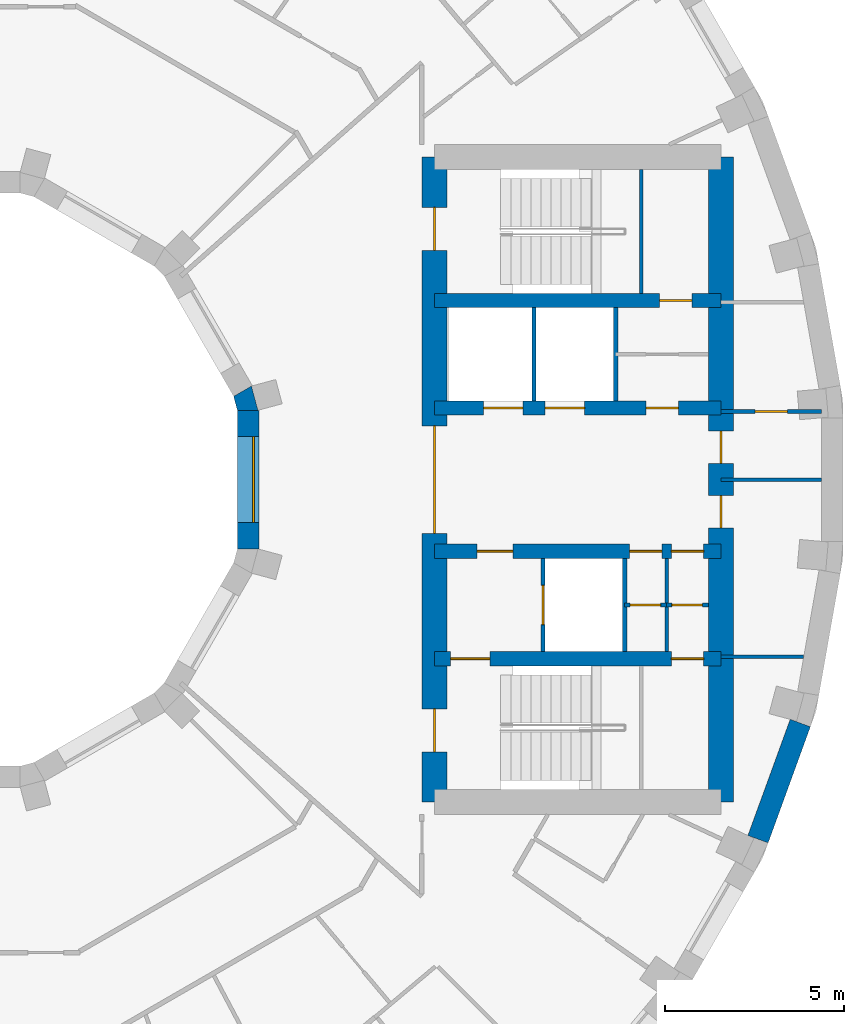
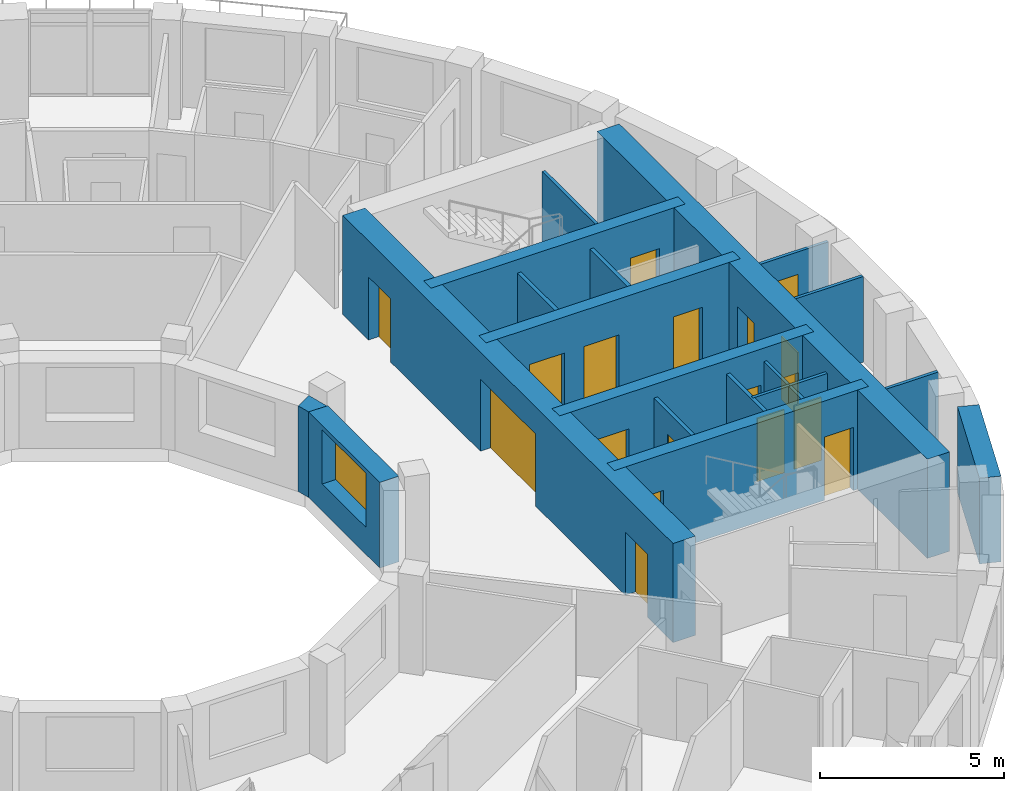
# One storey, part 8 of 13: 20 walls, 18 doors, 1 window, 19 openings.
"""IFC4 building model written with IfcOpenShell, lengths in metres."""

from ifc_helpers import new_model, si_unit, direction, frame, frame_2d, origin, place, context, subcontext, project, spatial, polyline, rectangle, outline, extrude, material, layer, layer_set, type_object, element, fill, save


model = new_model("IFC4")

# Units and contexts
model_context = context("Model", 3, precision=1e-05, world=origin(), true_north=direction((0.0, 1.0)))
body_context = subcontext(model_context, "Body", "Model", "MODEL_VIEW")
ifc_project = project(units=[si_unit("LENGTHUNIT", "METRE"), si_unit("AREAUNIT", "SQUARE_METRE"), si_unit("VOLUMEUNIT", "CUBIC_METRE"), si_unit("PLANEANGLEUNIT", "RADIAN"), si_unit("MASSUNIT", "GRAM", prefix="KILO")], contexts=[model_context])

# Site, building, storey
site_placement = place(None, origin())
site = spatial("IfcSite", under=ifc_project, at=site_placement, CompositionType="ELEMENT")
building_placement = place(site_placement, origin())
building = spatial("IfcBuilding", under=site, at=building_placement, Name="Saqina Gate Tower", CompositionType="ELEMENT")
storey_placement = place(building_placement, frame((0.0, 0.0, 207.0)))
storey = spatial("IfcBuildingStorey", under=building, at=storey_placement, Name="L59", CompositionType="ELEMENT", Elevation=207.0)

# Wall, opening, door
ifc_material_1 = material(Name="Gypsum board on steel studs", Category="steel")
ifc_layer_1 = layer(ifc_material_1, 0.10009765625)
ifc_layer_set_1 = layer_set([ifc_layer_1], Name="CORE PARTITION")
wall_type_1 = type_object("IfcWallType", Name="CORE PARTITION", PredefinedType="PARTITIONING", material=ifc_layer_set_1)
wall_1_placement = place(storey_placement, frame((21.5, 1.89990234375, 0.0), z_axis=(0.0, 0.0, 1.0), x_axis=(1.0, 0.0, 0.0)))
wall_1 = element("IfcWall", 1, at=wall_1_placement, inside=storey, type_object=wall_type_1, Name="L59-CP-E02", PredefinedType="PARTITIONING", context=body_context, shape_type="SweptSolid", body=[
    extrude(rectangle(XDim=2.804931640625, YDim=0.10009765625, at=frame_2d((1.40234375, 0.0))), origin(), (0.0, 0.0, 1.0), 2.85009765625),
])
opening_1_placement = place(wall_1_placement, frame((0.952392578125, 0.0, 0.0)))
opening_1 = element("IfcOpeningElement", 2, at=opening_1_placement, cuts=wall_1, Name="Opening G17-D94", PredefinedType="OPENING", context=body_context, shape_type="SweptSolid", body=[
    extrude(rectangle(XDim=0.89990234375, YDim=2.10009765625, at=frame_2d((0.449951171875, 1.050048828125))), frame((0.0, 0.06201171875, 0.0), z_axis=(0.0, -1.0, 0.0), x_axis=(1.0, 0.0, 0.0)), (0.0, 0.0, 1.0), 0.1240234375),
])
ifc_material_2 = material(Name="Steel-framed fire door leaf, EI 60", Category="steel")
door_type_1 = type_object("IfcDoorType", Name="SERVICE ROOM DOOR 900", OperationType="SINGLE_SWING_LEFT", PredefinedType="DOOR", material=ifc_material_2)
door_1_placement = place(opening_1_placement, origin())
door_1 = element("IfcDoor", 3, at=door_1_placement, inside=storey, type_object=door_type_1, Name="L59-CD-E05", OperationType="SINGLE_SWING_LEFT", OverallHeight=2.10009765625, OverallWidth=0.89990234375, PredefinedType="DOOR", context=body_context, shape_type="SweptSolid", body=[
    extrude(rectangle(XDim=0.89990234375, YDim=2.10009765625, at=frame_2d((0.449951171875, 1.050048828125))), frame((0.0, 0.02490234375, 0.0), z_axis=(0.0, -1.0, 0.0), x_axis=(1.0, 0.0, 0.0)), (0.0, 0.0, 1.0), 0.050048828125),
])
fill(opening_1, door_1)

# Walls
wall_2_placement = place(storey_placement, frame((21.5, -4.949951171875, 0.0), z_axis=(0.0, 0.0, 1.0), x_axis=(1.0, 0.0, 0.0)))
element("IfcWall", 4, at=wall_2_placement, inside=storey, type_object=wall_type_1, Name="L59-CP-E03", PredefinedType="PARTITIONING", context=body_context, shape_type="SweptSolid", body=[
    extrude(rectangle(XDim=2.306884765625, YDim=0.10009765625, at=frame_2d((1.1533203125, 0.0))), origin(), (0.0, 0.0, 1.0), 2.85009765625),
])
wall_3_placement = place(storey_placement, frame((21.5, 0.0, 0.0), z_axis=(0.0, 0.0, 1.0), x_axis=(1.0, 0.0, 0.0)))
element("IfcWall", 5, at=wall_3_placement, inside=storey, type_object=wall_type_1, Name="L59-CP-E04", PredefinedType="PARTITIONING", context=body_context, shape_type="SweptSolid", body=[
    extrude(rectangle(XDim=2.804931640625, YDim=0.10009765625, at=frame_2d((1.40234375, 0.0))), origin(), (0.0, 0.0, 1.0), 2.85009765625),
])
wall_4_placement = place(storey_placement, frame((19.97998046875, -4.800048828125, 0.0), z_axis=(0.0, 0.0, 1.0), x_axis=(0.0, 1.0, 0.0)))
element("IfcWall", 6, at=wall_4_placement, inside=storey, type_object=wall_type_1, Name="L59-CP-E09", PredefinedType="PARTITIONING", context=body_context, shape_type="SweptSolid", body=[
    extrude(rectangle(XDim=2.60009765625, YDim=0.10009765625, at=frame_2d((1.300048828125, 0.0))), origin(), (0.0, 0.0, 1.0), 2.85009765625),
])

# Wall, opening, door
wall_5_placement = place(storey_placement, frame((18.81005859375, -3.5, 0.0), z_axis=(0.0, 0.0, 1.0), x_axis=(1.0, 0.0, 0.0)))
wall_5 = element("IfcWall", 7, at=wall_5_placement, inside=storey, type_object=wall_type_1, Name="L59-CP-E11", PredefinedType="PARTITIONING", context=body_context, shape_type="SweptSolid", body=[
    extrude(rectangle(XDim=1.169921875, YDim=0.10009765625, at=frame_2d((0.5849609375, 0.0))), origin(), (0.0, 0.0, 1.0), 2.85009765625),
])
opening_2_placement = place(wall_5_placement, frame((0.14990234375, 0.0, 0.0)))
opening_2 = element("IfcOpeningElement", 8, at=opening_2_placement, cuts=wall_5, Name="Opening G17-D99", PredefinedType="OPENING", context=body_context, shape_type="SweptSolid", body=[
    extrude(rectangle(XDim=0.85009765625, YDim=2.10009765625, at=frame_2d((0.425048828125, 1.050048828125))), frame((0.0, 0.06201171875, 0.0), z_axis=(0.0, -1.0, 0.0), x_axis=(1.0, 0.0, 0.0)), (0.0, 0.0, 1.0), 0.1240234375),
])
ifc_material_3 = material(Name="Steel-framed fire door leaf, EI 60", Category="steel")
door_type_2 = type_object("IfcDoorType", Name="SERVICE ROOM DOOR 850", OperationType="SINGLE_SWING_LEFT", PredefinedType="DOOR", material=ifc_material_3)
door_2_placement = place(opening_2_placement, frame((0.85009765625, 0.0, 0.0), z_axis=(0.0, 0.0, 1.0), x_axis=(-1.0, 0.0, 0.0)))
door_2 = element("IfcDoor", 9, at=door_2_placement, inside=storey, type_object=door_type_2, Name="L59-CD-E10", OperationType="SINGLE_SWING_RIGHT", OverallHeight=2.10009765625, OverallWidth=0.85009765625, PredefinedType="DOOR", context=body_context, shape_type="SweptSolid", body=[
    extrude(rectangle(XDim=0.85009765625, YDim=2.10009765625, at=frame_2d((0.425048828125, 1.050048828125))), frame((0.0, 0.02490234375, 0.0), z_axis=(0.0, -1.0, 0.0), x_axis=(1.0, 0.0, 0.0)), (0.0, 0.0, 1.0), 0.050048828125),
])
fill(opening_2, door_2)

wall_6_placement = place(storey_placement, frame((19.97998046875, -3.5, 0.0), z_axis=(0.0, 0.0, 1.0), x_axis=(1.0, 0.0, 0.0)))
wall_6 = element("IfcWall", 10, at=wall_6_placement, inside=storey, type_object=wall_type_1, Name="L59-CP-E12", PredefinedType="PARTITIONING", context=body_context, shape_type="SweptSolid", body=[
    extrude(rectangle(XDim=1.169921875, YDim=0.10009765625, at=frame_2d((0.5849609375, 0.0))), origin(), (0.0, 0.0, 1.0), 2.85009765625),
])
opening_3_placement = place(wall_6_placement, frame((0.14990234375, 0.0, 0.0)))
opening_3 = element("IfcOpeningElement", 11, at=opening_3_placement, cuts=wall_6, Name="Opening G17-D100", PredefinedType="OPENING", context=body_context, shape_type="SweptSolid", body=[
    extrude(rectangle(XDim=0.85009765625, YDim=2.10009765625, at=frame_2d((0.425048828125, 1.050048828125))), frame((0.0, 0.06201171875, 0.0), z_axis=(0.0, -1.0, 0.0), x_axis=(1.0, 0.0, 0.0)), (0.0, 0.0, 1.0), 0.1240234375),
])
door_3_placement = place(opening_3_placement, frame((0.85009765625, 0.0, 0.0), z_axis=(0.0, 0.0, 1.0), x_axis=(-1.0, 0.0, 0.0)))
door_3 = element("IfcDoor", 12, at=door_3_placement, inside=storey, type_object=door_type_2, Name="L59-CD-E11", OperationType="SINGLE_SWING_LEFT", OverallHeight=2.10009765625, OverallWidth=0.85009765625, PredefinedType="DOOR", context=body_context, shape_type="SweptSolid", body=[
    extrude(rectangle(XDim=0.85009765625, YDim=2.10009765625, at=frame_2d((0.425048828125, 1.050048828125))), frame((0.0, 0.02490234375, 0.0), z_axis=(0.0, -1.0, 0.0), x_axis=(1.0, 0.0, 0.0)), (0.0, 0.0, 1.0), 0.050048828125),
])
fill(opening_3, door_3)

# Wall
ifc_material_4 = material(Name="Glazed ceramic tile", Category="ceramic")
ifc_layer_2 = layer(ifc_material_4, 0.60009765625)
ifc_layer_set_2 = layer_set([ifc_layer_2], Name="FW-TILE")
wall_type_2 = type_object("IfcWallType", Name="FW-TILE", PredefinedType="SOLIDWALL", material=ifc_layer_set_2)
wall_7_placement = place(storey_placement, frame((22.531005859375, -10.0361328125, 0.0), z_axis=(0.0, 0.0, 1.0), x_axis=(0.342032843455, 0.93968799822, 0.0)))
element("IfcWall", 13, at=wall_7_placement, inside=storey, type_object=wall_type_2, Name="Facade wall L59 facet 34", PredefinedType="SOLIDWALL", context=body_context, shape_type="SweptSolid", body=[
    extrude(rectangle(XDim=3.44970703125, YDim=0.60009765625, at=frame_2d((1.724853515625, 0.0))), origin(), (0.0, 0.0, 1.0), 2.85009765625),
])

# Wall, opening, window
ifc_material_5 = material(Name="Glazed ceramic tile", Category="ceramic")
ifc_layer_3 = layer(ifc_material_5, 0.60009765625)
ifc_layer_set_3 = layer_set([ifc_layer_3], Name="IW-TILE")
wall_type_3 = type_object("IfcWallType", Name="IW-TILE", PredefinedType="SOLIDWALL", material=ifc_layer_set_3)
wall_8_placement = place(storey_placement, frame((8.300048828125, -1.934814453125, 0.0), z_axis=(0.0, 0.0, 1.0), x_axis=(0.0, 1.0, 0.0)))
wall_8 = element("IfcWall", 14, at=wall_8_placement, inside=storey, type_object=wall_type_3, Name="Well wall L59 facet 12", PredefinedType="SOLIDWALL", context=body_context, shape_type="SweptSolid", body=[
    extrude(rectangle(XDim=3.86962890625, YDim=0.60009765625, at=frame_2d((1.934814453125, 0.0))), origin(), (0.0, 0.0, 1.0), 2.85009765625),
])
opening_4_placement = place(wall_8_placement, frame((0.73486328125, 0.0, 0.89990234375)))
opening_4 = element("IfcOpeningElement", 15, at=opening_4_placement, cuts=wall_8, Name="Opening G17-W34", PredefinedType="OPENING", context=body_context, shape_type="SweptSolid", body=[
    extrude(rectangle(XDim=2.39990234375, YDim=1.800048828125, at=frame_2d((1.199951171875, 0.89990234375))), frame((0.0, 0.31201171875, 0.0), z_axis=(0.0, -1.0, 0.0), x_axis=(1.0, 0.0, 0.0)), (0.0, 0.0, 1.0), 0.6240234375),
])
ifc_material_6 = material(Name="Aluminium glazing", Category="aluminium")
window_type = type_object("IfcWindowType", Name="WN-W", PartitioningType="SINGLE_PANEL", PredefinedType="WINDOW", material=ifc_material_6)
window_placement = place(opening_4_placement, origin())
window = element("IfcWindow", 16, at=window_placement, inside=storey, type_object=window_type, Name="Well window L59 facet 12", OverallHeight=1.800048828125, OverallWidth=2.39990234375, PartitioningType="SINGLE_PANEL", PredefinedType="WINDOW", context=body_context, shape_type="SweptSolid", body=[
    extrude(rectangle(XDim=2.39990234375, YDim=1.800048828125, at=frame_2d((1.199951171875, 0.89990234375))), frame((0.0, -0.119873046875, 0.0), z_axis=(0.0, -1.0, 0.0), x_axis=(1.0, 0.0, 0.0)), (0.0, 0.0, 1.0), 0.06005859375),
])
fill(opening_4, window)

# Walls
ifc_material_7 = material(Name="Autoclaved aerated concrete block", Category="concrete")
ifc_layer_4 = layer(ifc_material_7, 0.1201171875)
ifc_layer_set_4 = layer_set([ifc_layer_4], Name="SHAFT PARTITION")
wall_type_4 = type_object("IfcWallType", Name="SHAFT PARTITION", PredefinedType="PARTITIONING", material=ifc_layer_set_4)
for number, where, z_axis, x_axis, name in (
    (17, (16.280029296875, 2.199951171875, 0.0), (0.0, 0.0, 1.0), (0.0, 1.0, 0.0), "L59-CP-E05"),
    (18, (18.56005859375, 2.199951171875, 0.0), (0.0, 0.0, 1.0), (0.0, 1.0, 0.0), "L59-CP-E06"),
):
    element("IfcWall", number, at=place(storey_placement, frame(where, z_axis=z_axis, x_axis=x_axis)), inside=storey, type_object=wall_type_4, Name=name, PredefinedType="PARTITIONING", context=body_context, shape_type="SweptSolid", body=[
        extrude(rectangle(XDim=2.60009765625, YDim=0.1201171875, at=frame_2d((1.300048828125, 0.0))), origin(), (0.0, 0.0, 1.0), 2.85009765625),
    ])

# Wall, opening, door
wall_9_placement = place(storey_placement, frame((16.530029296875, -4.800048828125, 0.0), z_axis=(0.0, 0.0, 1.0), x_axis=(0.0, 1.0, 0.0)))
wall_9 = element("IfcWall", 19, at=wall_9_placement, inside=storey, type_object=wall_type_4, Name="L59-CP-E07", PredefinedType="PARTITIONING", context=body_context, shape_type="SweptSolid", body=[
    extrude(rectangle(XDim=2.60009765625, YDim=0.1201171875, at=frame_2d((1.300048828125, 0.0))), origin(), (0.0, 0.0, 1.0), 2.85009765625),
])
opening_5_placement = place(wall_9_placement, frame((0.75, 0.0, 0.0)))
opening_5 = element("IfcOpeningElement", 20, at=opening_5_placement, cuts=wall_9, Name="Opening G17-LD3", PredefinedType="OPENING", context=body_context, shape_type="SweptSolid", body=[
    extrude(rectangle(XDim=1.10009765625, YDim=2.10009765625, at=frame_2d((0.550048828125, 1.050048828125))), frame((0.0, 0.072021484375, 0.0), z_axis=(0.0, -1.0, 0.0), x_axis=(1.0, 0.0, 0.0)), (0.0, 0.0, 1.0), 0.14404296875),
])
ifc_material_8 = material(Name="Stainless steel", Category="steel")
door_type_3 = type_object("IfcDoorType", Name="LANDING DOOR", OperationType="DOUBLE_DOOR_SLIDING", PredefinedType="DOOR", material=ifc_material_8)
door_4_placement = place(opening_5_placement, origin())
door_4 = element("IfcDoor", 21, at=door_4_placement, inside=storey, type_object=door_type_3, Name="LANDING DOOR FF1", OperationType="DOUBLE_DOOR_SLIDING", OverallHeight=2.10009765625, OverallWidth=1.10009765625, PredefinedType="DOOR", context=body_context, shape_type="SweptSolid", body=[
    extrude(rectangle(XDim=1.10009765625, YDim=2.10009765625, at=frame_2d((0.550048828125, 1.050048828125))), frame((0.0, 0.02490234375, 0.0), z_axis=(0.0, -1.0, 0.0), x_axis=(1.0, 0.0, 0.0)), (0.0, 0.0, 1.0), 0.050048828125),
])
fill(opening_5, door_4)

# Walls
wall_10_placement = place(storey_placement, frame((18.81005859375, -4.800048828125, 0.0), z_axis=(0.0, 0.0, 1.0), x_axis=(0.0, 1.0, 0.0)))
element("IfcWall", 22, at=wall_10_placement, inside=storey, type_object=wall_type_4, Name="L59-CP-E08", PredefinedType="PARTITIONING", context=body_context, shape_type="SweptSolid", body=[
    extrude(rectangle(XDim=2.60009765625, YDim=0.1201171875, at=frame_2d((1.300048828125, 0.0))), origin(), (0.0, 0.0, 1.0), 2.85009765625),
])
ifc_material_9 = material(Name="Autoclaved aerated concrete block", Category="concrete")
ifc_layer_5 = layer(ifc_material_9, 0.10009765625)
ifc_layer_set_5 = layer_set([ifc_layer_5], Name="STAIR ENCLOSURE WALL")
wall_type_5 = type_object("IfcWallType", Name="STAIR ENCLOSURE WALL", PredefinedType="PARTITIONING", material=ifc_layer_set_5)
wall_11_placement = place(storey_placement, frame((19.27001953125, 5.199951171875, 0.0), z_axis=(0.0, 0.0, 1.0), x_axis=(0.0, 1.0, 0.0)))
element("IfcWall", 23, at=wall_11_placement, inside=storey, type_object=wall_type_5, Name="L59-CP-E13", PredefinedType="PARTITIONING", context=body_context, shape_type="SweptSolid", body=[
    extrude(rectangle(XDim=3.449951171875, YDim=0.10009765625, at=frame_2d((1.72509765625, 0.0))), origin(), (0.0, 0.0, 1.0), 2.85009765625),
])

# Wall, opening, door
ifc_material_10 = material(Name="Concrete C60/75", Category="concrete")
ifc_layer_6 = layer(ifc_material_10, 0.39990234375)
ifc_layer_set_6 = layer_set([ifc_layer_6], Name="Concrete C60/75")
wall_type_6 = type_object("IfcWallType", Name="STR-CORE WALL-C-I", PredefinedType="SHEAR", material=ifc_layer_set_6)
wall_12_placement = place(storey_placement, frame((13.5, 5.0, 0.0), z_axis=(0.0, 0.0, 1.0), x_axis=(1.0, 0.0, 0.0)))
wall_12 = element("IfcWall", 24, at=wall_12_placement, inside=storey, type_object=wall_type_6, Name="CORE WALL L59 E-X1", PredefinedType="SHEAR", context=body_context, shape_type="SweptSolid", body=[
    extrude(rectangle(XDim=8.0, YDim=0.39990234375, at=frame_2d((4.0, 0.0))), origin(), (0.0, 0.0, 1.0), 3.300048828125),
])
opening_6_placement = place(wall_12_placement, frame((6.284912109375, 0.0, 0.0)))
opening_6 = element("IfcOpeningElement", 25, at=opening_6_placement, cuts=wall_12, Name="Opening G17-D98", PredefinedType="OPENING", context=body_context, shape_type="SweptSolid", body=[
    extrude(rectangle(XDim=0.89990234375, YDim=2.10009765625, at=frame_2d((0.449951171875, 1.050048828125))), frame((0.0, 0.2119140625, 0.0), z_axis=(0.0, -1.0, 0.0), x_axis=(1.0, 0.0, 0.0)), (0.0, 0.0, 1.0), 0.423828125),
])
door_5_placement = place(opening_6_placement, origin())
door_5 = element("IfcDoor", 26, at=door_5_placement, inside=storey, type_object=door_type_1, Name="L59-CD-E09", OperationType="SINGLE_SWING_RIGHT", OverallHeight=2.10009765625, OverallWidth=0.89990234375, PredefinedType="DOOR", context=body_context, shape_type="SweptSolid", body=[
    extrude(rectangle(XDim=0.89990234375, YDim=2.10009765625, at=frame_2d((0.449951171875, 1.050048828125))), frame((0.0, 0.02490234375, 0.0), z_axis=(0.0, -1.0, 0.0), x_axis=(1.0, 0.0, 0.0)), (0.0, 0.0, 1.0), 0.050048828125),
])
fill(opening_6, door_5)

# Wall, openings, doors
wall_13_placement = place(storey_placement, frame((13.5, -5.0, 0.0), z_axis=(0.0, 0.0, 1.0), x_axis=(1.0, 0.0, 0.0)))
wall_13 = element("IfcWall", 27, at=wall_13_placement, inside=storey, type_object=wall_type_6, Name="CORE WALL L59 E-X2", PredefinedType="SHEAR", context=body_context, shape_type="SweptSolid", body=[
    extrude(rectangle(XDim=8.0, YDim=0.39990234375, at=frame_2d((4.0, 0.0))), origin(), (0.0, 0.0, 1.0), 3.300048828125),
])
opening_7_placement = place(wall_13_placement, frame((6.614990234375, 0.0, 0.0)))
opening_7 = element("IfcOpeningElement", 28, at=opening_7_placement, cuts=wall_13, Name="Opening G17-D101", PredefinedType="OPENING", context=body_context, shape_type="SweptSolid", body=[
    extrude(rectangle(XDim=0.89990234375, YDim=2.10009765625, at=frame_2d((0.449951171875, 1.050048828125))), frame((0.0, 0.2119140625, 0.0), z_axis=(0.0, -1.0, 0.0), x_axis=(1.0, 0.0, 0.0)), (0.0, 0.0, 1.0), 0.423828125),
])
opening_8_placement = place(wall_13_placement, frame((0.449951171875, 0.0, 0.0)))
opening_8 = element("IfcOpeningElement", 29, at=opening_8_placement, cuts=wall_13, Name="Opening G17-D102", PredefinedType="OPENING", context=body_context, shape_type="SweptSolid", body=[
    extrude(rectangle(XDim=1.10009765625, YDim=2.10009765625, at=frame_2d((0.550048828125, 1.050048828125))), frame((0.0, 0.2119140625, 0.0), z_axis=(0.0, -1.0, 0.0), x_axis=(1.0, 0.0, 0.0)), (0.0, 0.0, 1.0), 0.423828125),
])
ifc_material_11 = material(Name="Steel", Category="steel")
door_type_4 = type_object("IfcDoorType", Name="FIRE LOBBY DOOR EI 60 WIDE", OperationType="SINGLE_SWING_LEFT", PredefinedType="DOOR", material=ifc_material_11)
door_6_placement = place(opening_8_placement, frame((1.10009765625, 0.0, 0.0), z_axis=(0.0, 0.0, 1.0), x_axis=(-1.0, 0.0, 0.0)))
door_6 = element("IfcDoor", 30, at=door_6_placement, inside=storey, type_object=door_type_4, Name="L59-CD-E13", OperationType="SINGLE_SWING_RIGHT", OverallHeight=2.10009765625, OverallWidth=1.10009765625, PredefinedType="DOOR", context=body_context, shape_type="SweptSolid", body=[
    extrude(rectangle(XDim=1.10009765625, YDim=2.10009765625, at=frame_2d((0.550048828125, 1.050048828125))), frame((0.0, 0.02490234375, 0.0), z_axis=(0.0, -1.0, 0.0), x_axis=(1.0, 0.0, 0.0)), (0.0, 0.0, 1.0), 0.050048828125),
])
fill(opening_8, door_6)
door_7_placement = place(opening_7_placement, frame((0.89990234375, 0.0, 0.0), z_axis=(0.0, 0.0, 1.0), x_axis=(-1.0, 0.0, 0.0)))
door_7 = element("IfcDoor", 31, at=door_7_placement, inside=storey, type_object=door_type_1, Name="L59-CD-E12", OperationType="SINGLE_SWING_LEFT", OverallHeight=2.10009765625, OverallWidth=0.89990234375, PredefinedType="DOOR", context=body_context, shape_type="SweptSolid", body=[
    extrude(rectangle(XDim=0.89990234375, YDim=2.10009765625, at=frame_2d((0.449951171875, 1.050048828125))), frame((0.0, 0.02490234375, 0.0), z_axis=(0.0, -1.0, 0.0), x_axis=(1.0, 0.0, 0.0)), (0.0, 0.0, 1.0), 0.050048828125),
])
fill(opening_7, door_7)

wall_14_placement = place(storey_placement, frame((13.5, 2.0, 0.0), z_axis=(0.0, 0.0, 1.0), x_axis=(1.0, 0.0, 0.0)))
wall_14 = element("IfcWall", 32, at=wall_14_placement, inside=storey, type_object=wall_type_6, Name="CORE WALL L59 E-L1", PredefinedType="SHEAR", context=body_context, shape_type="SweptSolid", body=[
    extrude(rectangle(XDim=8.0, YDim=0.39990234375, at=frame_2d((4.0, 0.0))), origin(), (0.0, 0.0, 1.0), 3.300048828125),
])
opening_9_placement = place(wall_14_placement, frame((1.3701171875, 0.0, 0.0)))
opening_9 = element("IfcOpeningElement", 33, at=opening_9_placement, cuts=wall_14, Name="Opening G17-LD1", PredefinedType="OPENING", context=body_context, shape_type="SweptSolid", body=[
    extrude(rectangle(XDim=1.10009765625, YDim=2.10009765625, at=frame_2d((0.550048828125, 1.050048828125))), frame((0.0, 0.2119140625, 0.0), z_axis=(0.0, -1.0, 0.0), x_axis=(1.0, 0.0, 0.0)), (0.0, 0.0, 1.0), 0.423828125),
])
opening_10_placement = place(wall_14_placement, frame((3.090087890625, 0.0, 0.0)))
opening_10 = element("IfcOpeningElement", 34, at=opening_10_placement, cuts=wall_14, Name="Opening G17-LD2", PredefinedType="OPENING", context=body_context, shape_type="SweptSolid", body=[
    extrude(rectangle(XDim=1.10009765625, YDim=2.10009765625, at=frame_2d((0.550048828125, 1.050048828125))), frame((0.0, 0.2119140625, 0.0), z_axis=(0.0, -1.0, 0.0), x_axis=(1.0, 0.0, 0.0)), (0.0, 0.0, 1.0), 0.423828125),
])
opening_11_placement = place(wall_14_placement, frame((5.905029296875, 0.0, 0.0)))
opening_11 = element("IfcOpeningElement", 35, at=opening_11_placement, cuts=wall_14, Name="Opening G17-D90", PredefinedType="OPENING", context=body_context, shape_type="SweptSolid", body=[
    extrude(rectangle(XDim=0.89990234375, YDim=2.10009765625, at=frame_2d((0.449951171875, 1.050048828125))), frame((0.0, 0.2119140625, 0.0), z_axis=(0.0, -1.0, 0.0), x_axis=(1.0, 0.0, 0.0)), (0.0, 0.0, 1.0), 0.423828125),
])
door_8_placement = place(opening_9_placement, origin())
door_8 = element("IfcDoor", 36, at=door_8_placement, inside=storey, type_object=door_type_3, Name="LANDING DOOR HR1", OperationType="DOUBLE_DOOR_SLIDING", OverallHeight=2.10009765625, OverallWidth=1.10009765625, PredefinedType="DOOR", context=body_context, shape_type="SweptSolid", body=[
    extrude(rectangle(XDim=1.10009765625, YDim=2.10009765625, at=frame_2d((0.550048828125, 1.050048828125))), frame((0.0, 0.02490234375, 0.0), z_axis=(0.0, -1.0, 0.0), x_axis=(1.0, 0.0, 0.0)), (0.0, 0.0, 1.0), 0.050048828125),
])
fill(opening_9, door_8)
door_9_placement = place(opening_10_placement, origin())
door_9 = element("IfcDoor", 37, at=door_9_placement, inside=storey, type_object=door_type_3, Name="LANDING DOOR HR2", OperationType="DOUBLE_DOOR_SLIDING", OverallHeight=2.10009765625, OverallWidth=1.10009765625, PredefinedType="DOOR", context=body_context, shape_type="SweptSolid", body=[
    extrude(rectangle(XDim=1.10009765625, YDim=2.10009765625, at=frame_2d((0.550048828125, 1.050048828125))), frame((0.0, 0.02490234375, 0.0), z_axis=(0.0, -1.0, 0.0), x_axis=(1.0, 0.0, 0.0)), (0.0, 0.0, 1.0), 0.050048828125),
])
fill(opening_10, door_9)
door_10_placement = place(opening_11_placement, origin())
door_10 = element("IfcDoor", 38, at=door_10_placement, inside=storey, type_object=door_type_1, Name="L59-CD-E01", OperationType="SINGLE_SWING_RIGHT", OverallHeight=2.10009765625, OverallWidth=0.89990234375, PredefinedType="DOOR", context=body_context, shape_type="SweptSolid", body=[
    extrude(rectangle(XDim=0.89990234375, YDim=2.10009765625, at=frame_2d((0.449951171875, 1.050048828125))), frame((0.0, 0.02490234375, 0.0), z_axis=(0.0, -1.0, 0.0), x_axis=(1.0, 0.0, 0.0)), (0.0, 0.0, 1.0), 0.050048828125),
])
fill(opening_11, door_10)

wall_15_placement = place(storey_placement, frame((13.5, -2.0, 0.0), z_axis=(0.0, 0.0, 1.0), x_axis=(1.0, 0.0, 0.0)))
wall_15 = element("IfcWall", 39, at=wall_15_placement, inside=storey, type_object=wall_type_6, Name="CORE WALL L59 E-L2", PredefinedType="SHEAR", context=body_context, shape_type="SweptSolid", body=[
    extrude(rectangle(XDim=8.0, YDim=0.39990234375, at=frame_2d((4.0, 0.0))), origin(), (0.0, 0.0, 1.0), 3.300048828125),
])
opening_12_placement = place(wall_15_placement, frame((1.18994140625, 0.0, 0.0)))
opening_12 = element("IfcOpeningElement", 40, at=opening_12_placement, cuts=wall_15, Name="Opening G17-D91", PredefinedType="OPENING", context=body_context, shape_type="SweptSolid", body=[
    extrude(rectangle(XDim=1.0, YDim=2.10009765625, at=frame_2d((0.5, 1.050048828125))), frame((0.0, 0.2119140625, 0.0), z_axis=(0.0, -1.0, 0.0), x_axis=(1.0, 0.0, 0.0)), (0.0, 0.0, 1.0), 0.423828125),
])
opening_13_placement = place(wall_15_placement, frame((5.445068359375, 0.0, 0.0)))
opening_13 = element("IfcOpeningElement", 41, at=opening_13_placement, cuts=wall_15, Name="Opening G17-D92", PredefinedType="OPENING", context=body_context, shape_type="SweptSolid", body=[
    extrude(rectangle(XDim=0.89990234375, YDim=2.10009765625, at=frame_2d((0.449951171875, 1.050048828125))), frame((0.0, 0.2119140625, 0.0), z_axis=(0.0, -1.0, 0.0), x_axis=(1.0, 0.0, 0.0)), (0.0, 0.0, 1.0), 0.423828125),
])
opening_14_placement = place(wall_15_placement, frame((6.614990234375, 0.0, 0.0)))
opening_14 = element("IfcOpeningElement", 42, at=opening_14_placement, cuts=wall_15, Name="Opening G17-D93", PredefinedType="OPENING", context=body_context, shape_type="SweptSolid", body=[
    extrude(rectangle(XDim=0.89990234375, YDim=2.10009765625, at=frame_2d((0.449951171875, 1.050048828125))), frame((0.0, 0.2119140625, 0.0), z_axis=(0.0, -1.0, 0.0), x_axis=(1.0, 0.0, 0.0)), (0.0, 0.0, 1.0), 0.423828125),
])
ifc_material_12 = material(Name="Steel", Category="steel")
door_type_5 = type_object("IfcDoorType", Name="FIRE LOBBY DOOR EI 60", OperationType="SINGLE_SWING_LEFT", PredefinedType="DOOR", material=ifc_material_12)
door_11_placement = place(opening_12_placement, origin())
door_11 = element("IfcDoor", 43, at=door_11_placement, inside=storey, type_object=door_type_5, Name="L59-CD-E02", OperationType="SINGLE_SWING_LEFT", OverallHeight=2.10009765625, OverallWidth=1.0, PredefinedType="DOOR", context=body_context, shape_type="SweptSolid", body=[
    extrude(rectangle(XDim=1.0, YDim=2.10009765625, at=frame_2d((0.5, 1.050048828125))), frame((0.0, 0.02490234375, 0.0), z_axis=(0.0, -1.0, 0.0), x_axis=(1.0, 0.0, 0.0)), (0.0, 0.0, 1.0), 0.050048828125),
])
fill(opening_12, door_11)
door_12_placement = place(opening_13_placement, frame((0.89990234375, 0.0, 0.0), z_axis=(0.0, 0.0, 1.0), x_axis=(-1.0, 0.0, 0.0)))
door_12 = element("IfcDoor", 44, at=door_12_placement, inside=storey, type_object=door_type_1, Name="L59-CD-E03", OperationType="SINGLE_SWING_RIGHT", OverallHeight=2.10009765625, OverallWidth=0.89990234375, PredefinedType="DOOR", context=body_context, shape_type="SweptSolid", body=[
    extrude(rectangle(XDim=0.89990234375, YDim=2.10009765625, at=frame_2d((0.449951171875, 1.050048828125))), frame((0.0, 0.02490234375, 0.0), z_axis=(0.0, -1.0, 0.0), x_axis=(1.0, 0.0, 0.0)), (0.0, 0.0, 1.0), 0.050048828125),
])
fill(opening_13, door_12)
door_13_placement = place(opening_14_placement, frame((0.89990234375, 0.0, 0.0), z_axis=(0.0, 0.0, 1.0), x_axis=(-1.0, 0.0, 0.0)))
door_13 = element("IfcDoor", 45, at=door_13_placement, inside=storey, type_object=door_type_1, Name="L59-CD-E04", OperationType="SINGLE_SWING_LEFT", OverallHeight=2.10009765625, OverallWidth=0.89990234375, PredefinedType="DOOR", context=body_context, shape_type="SweptSolid", body=[
    extrude(rectangle(XDim=0.89990234375, YDim=2.10009765625, at=frame_2d((0.449951171875, 1.050048828125))), frame((0.0, 0.02490234375, 0.0), z_axis=(0.0, -1.0, 0.0), x_axis=(1.0, 0.0, 0.0)), (0.0, 0.0, 1.0), 0.050048828125),
])
fill(opening_14, door_13)

ifc_material_13 = material(Name="Concrete C60/75", Category="concrete")
ifc_layer_7 = layer(ifc_material_13, 0.699951171875)
ifc_layer_set_7 = layer_set([ifc_layer_7], Name="Concrete C60/75")
wall_type_7 = type_object("IfcWallType", Name="STR-CORE WALL-C-O", PredefinedType="SHEAR", material=ifc_layer_set_7)
wall_16_placement = place(storey_placement, frame((13.5, -9.0, 0.0), z_axis=(0.0, 0.0, 1.0), x_axis=(0.0, 1.0, 0.0)))
wall_16 = element("IfcWall", 46, at=wall_16_placement, inside=storey, type_object=wall_type_7, Name="CORE WALL L59 E-W1", PredefinedType="SHEAR", context=body_context, shape_type="SweptSolid", body=[
    extrude(rectangle(XDim=18.0, YDim=0.699951171875, at=frame_2d((9.0, 0.0))), origin(), (0.0, 0.0, 1.0), 3.300048828125),
])
opening_15_placement = place(wall_16_placement, frame((15.39990234375, 0.0, 0.0)))
opening_15 = element("IfcOpeningElement", 47, at=opening_15_placement, cuts=wall_16, Name="Opening G17-D103", PredefinedType="OPENING", context=body_context, shape_type="SweptSolid", body=[
    extrude(rectangle(XDim=1.199951171875, YDim=2.10009765625, at=frame_2d((0.60009765625, 1.050048828125))), frame((0.0, 0.362060546875, 0.0), z_axis=(0.0, -1.0, 0.0), x_axis=(1.0, 0.0, 0.0)), (0.0, 0.0, 1.0), 0.723876953125),
])
opening_16_placement = place(wall_16_placement, frame((1.39990234375, 0.0, 0.0)))
opening_16 = element("IfcOpeningElement", 48, at=opening_16_placement, cuts=wall_16, Name="Opening G17-D104", PredefinedType="OPENING", context=body_context, shape_type="SweptSolid", body=[
    extrude(rectangle(XDim=1.199951171875, YDim=2.10009765625, at=frame_2d((0.60009765625, 1.050048828125))), frame((0.0, 0.362060546875, 0.0), z_axis=(0.0, -1.0, 0.0), x_axis=(1.0, 0.0, 0.0)), (0.0, 0.0, 1.0), 0.723876953125),
])
opening_17_placement = place(wall_16_placement, frame((7.5, 0.0, 0.0)))
opening_17 = element("IfcOpeningElement", 49, at=opening_17_placement, cuts=wall_16, Name="Opening G17-D105", PredefinedType="OPENING", context=body_context, shape_type="SweptSolid", body=[
    extrude(rectangle(XDim=3.0, YDim=2.39990234375, at=frame_2d((1.5, 1.199951171875))), frame((0.0, 0.362060546875, 0.0), z_axis=(0.0, -1.0, 0.0), x_axis=(1.0, 0.0, 0.0)), (0.0, 0.0, 1.0), 0.723876953125),
])
ifc_material_14 = material(Name="Steel", Category="steel")
door_type_6 = type_object("IfcDoorType", Name="FIRE DOOR EI 60", OperationType="SINGLE_SWING_LEFT", PredefinedType="DOOR", material=ifc_material_14)
door_14_placement = place(opening_15_placement, frame((1.199951171875, 0.0, 0.0), z_axis=(0.0, 0.0, 1.0), x_axis=(-1.0, 0.0, 0.0)))
door_14 = element("IfcDoor", 50, at=door_14_placement, inside=storey, type_object=door_type_6, Name="L59-CD-E14", OperationType="SINGLE_SWING_LEFT", OverallHeight=2.10009765625, OverallWidth=1.199951171875, PredefinedType="DOOR", context=body_context, shape_type="SweptSolid", body=[
    extrude(rectangle(XDim=1.199951171875, YDim=2.10009765625, at=frame_2d((0.60009765625, 1.050048828125))), frame((0.0, 0.02490234375, 0.0), z_axis=(0.0, -1.0, 0.0), x_axis=(1.0, 0.0, 0.0)), (0.0, 0.0, 1.0), 0.050048828125),
])
fill(opening_15, door_14)
door_15_placement = place(opening_16_placement, frame((1.199951171875, 0.0, 0.0), z_axis=(0.0, 0.0, 1.0), x_axis=(-1.0, 0.0, 0.0)))
door_15 = element("IfcDoor", 51, at=door_15_placement, inside=storey, type_object=door_type_6, Name="L59-CD-E15", OperationType="SINGLE_SWING_RIGHT", OverallHeight=2.10009765625, OverallWidth=1.199951171875, PredefinedType="DOOR", context=body_context, shape_type="SweptSolid", body=[
    extrude(rectangle(XDim=1.199951171875, YDim=2.10009765625, at=frame_2d((0.60009765625, 1.050048828125))), frame((0.0, 0.02490234375, 0.0), z_axis=(0.0, -1.0, 0.0), x_axis=(1.0, 0.0, 0.0)), (0.0, 0.0, 1.0), 0.050048828125),
])
fill(opening_16, door_15)
ifc_material_15 = material(Name="Steel and fire-resisting glass", Category="steel")
door_type_7 = type_object("IfcDoorType", Name="LOBBY SCREEN DOOR", OperationType="DOUBLE_DOOR_SLIDING", PredefinedType="DOOR", material=ifc_material_15)
door_16_placement = place(opening_17_placement, origin())
door_16 = element("IfcDoor", 52, at=door_16_placement, inside=storey, type_object=door_type_7, Name="L59-CD-E16", OperationType="DOUBLE_DOOR_SLIDING", OverallHeight=2.39990234375, OverallWidth=3.0, PredefinedType="DOOR", context=body_context, shape_type="SweptSolid", body=[
    extrude(rectangle(XDim=3.0, YDim=2.39990234375, at=frame_2d((1.5, 1.199951171875))), frame((0.0, 0.02490234375, 0.0), z_axis=(0.0, -1.0, 0.0), x_axis=(1.0, 0.0, 0.0)), (0.0, 0.0, 1.0), 0.050048828125),
])
fill(opening_17, door_16)

wall_17_placement = place(storey_placement, frame((21.5, -9.0, 0.0), z_axis=(0.0, 0.0, 1.0), x_axis=(0.0, 1.0, 0.0)))
wall_17 = element("IfcWall", 53, at=wall_17_placement, inside=storey, type_object=wall_type_7, Name="CORE WALL L59 E-W2", PredefinedType="SHEAR", context=body_context, shape_type="SweptSolid", body=[
    extrude(rectangle(XDim=18.0, YDim=0.699951171875, at=frame_2d((9.0, 0.0))), origin(), (0.0, 0.0, 1.0), 3.300048828125),
])
opening_18_placement = place(wall_17_placement, frame((9.449951171875, 0.0, 0.0)))
opening_18 = element("IfcOpeningElement", 54, at=opening_18_placement, cuts=wall_17, Name="Opening G17-D95", PredefinedType="OPENING", context=body_context, shape_type="SweptSolid", body=[
    extrude(rectangle(XDim=0.89990234375, YDim=2.10009765625, at=frame_2d((0.449951171875, 1.050048828125))), frame((0.0, 0.362060546875, 0.0), z_axis=(0.0, -1.0, 0.0), x_axis=(1.0, 0.0, 0.0)), (0.0, 0.0, 1.0), 0.723876953125),
])
opening_19_placement = place(wall_17_placement, frame((7.64990234375, 0.0, 0.0)))
opening_19 = element("IfcOpeningElement", 55, at=opening_19_placement, cuts=wall_17, Name="Opening G17-D96", PredefinedType="OPENING", context=body_context, shape_type="SweptSolid", body=[
    extrude(rectangle(XDim=0.89990234375, YDim=2.10009765625, at=frame_2d((0.449951171875, 1.050048828125))), frame((0.0, 0.362060546875, 0.0), z_axis=(0.0, -1.0, 0.0), x_axis=(1.0, 0.0, 0.0)), (0.0, 0.0, 1.0), 0.723876953125),
])
door_17_placement = place(opening_18_placement, frame((0.89990234375, 0.0, 0.0), z_axis=(0.0, 0.0, 1.0), x_axis=(-1.0, 0.0, 0.0)))
door_17 = element("IfcDoor", 56, at=door_17_placement, inside=storey, type_object=door_type_1, Name="L59-CD-E06", OperationType="SINGLE_SWING_LEFT", OverallHeight=2.10009765625, OverallWidth=0.89990234375, PredefinedType="DOOR", context=body_context, shape_type="SweptSolid", body=[
    extrude(rectangle(XDim=0.89990234375, YDim=2.10009765625, at=frame_2d((0.449951171875, 1.050048828125))), frame((0.0, 0.02490234375, 0.0), z_axis=(0.0, -1.0, 0.0), x_axis=(1.0, 0.0, 0.0)), (0.0, 0.0, 1.0), 0.050048828125),
])
fill(opening_18, door_17)
door_18_placement = place(opening_19_placement, frame((0.89990234375, 0.0, 0.0), z_axis=(0.0, 0.0, 1.0), x_axis=(-1.0, 0.0, 0.0)))
door_18 = element("IfcDoor", 57, at=door_18_placement, inside=storey, type_object=door_type_1, Name="L59-CD-E07", OperationType="SINGLE_SWING_LEFT", OverallHeight=2.10009765625, OverallWidth=0.89990234375, PredefinedType="DOOR", context=body_context, shape_type="SweptSolid", body=[
    extrude(rectangle(XDim=0.89990234375, YDim=2.10009765625, at=frame_2d((0.449951171875, 1.050048828125))), frame((0.0, 0.02490234375, 0.0), z_axis=(0.0, -1.0, 0.0), x_axis=(1.0, 0.0, 0.0)), (0.0, 0.0, 1.0), 0.050048828125),
])
fill(opening_19, door_18)

# Wall
ifc_material_16 = material(Name="Glazed ceramic tile", Category="ceramic")
wall_type_8 = type_object("IfcWallType", Name="TILE PIER COPING", PredefinedType="SOLIDWALL", material=ifc_material_16)
wall_18_placement = place(storey_placement, origin())
element("IfcWall", 58, at=wall_18_placement, inside=storey, type_object=wall_type_8, Name="Well pier cap L59 column 1", PredefinedType="SOLIDWALL", context=body_context, shape_type="SweptSolid", body=[
    extrude(outline(polyline([(8.392333984375, 2.611083984375), (7.895751953125, 2.32421875), (8.0, 1.934814453125), (8.573486328125, 1.934814453125), (8.392333984375, 2.611083984375)])), origin(), (0.0, 0.0, 1.0), 2.85009765625),
])

save(model, "model.ifc")
